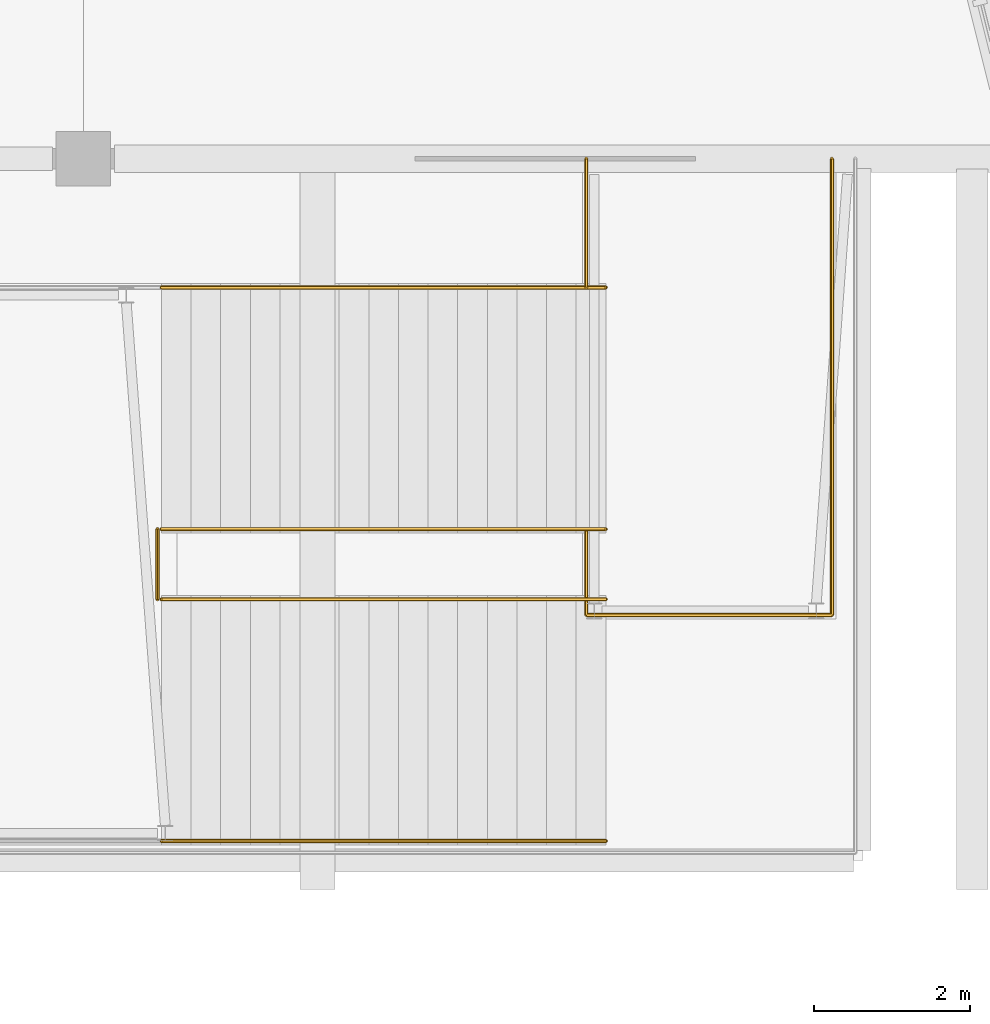
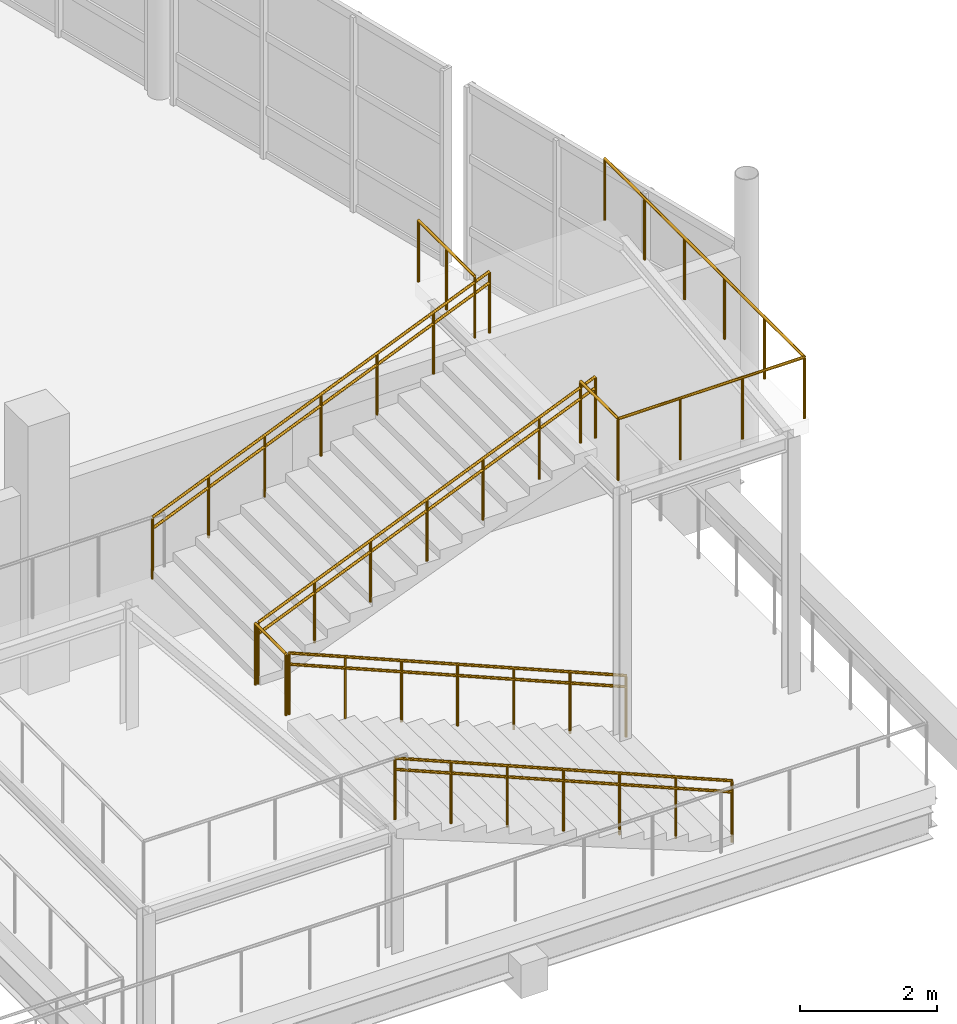
# One storey, part 106 of 112: 11 railings.
"""IFC4 building model written with IfcOpenShell, lengths in metres."""

from ifc_helpers import new_model, si_unit, direction, frame, origin, origin_2d, place, context, subcontext, project, spatial, circle, extrude, material, type_object, element, save


model = new_model("IFC4")

# Units and contexts
model_context = context("Model", 3, precision=1e-05, world=origin(), true_north=direction((0.0, 1.0)))
body_context = subcontext(model_context, "Body", "Model", "MODEL_VIEW")
ifc_project = project(units=[si_unit("LENGTHUNIT", "METRE"), si_unit("AREAUNIT", "SQUARE_METRE"), si_unit("VOLUMEUNIT", "CUBIC_METRE"), si_unit("PLANEANGLEUNIT", "RADIAN"), si_unit("MASSUNIT", "GRAM", prefix="KILO")], contexts=[model_context])

# Site, building, storey
site_placement = place(None, origin())
site = spatial("IfcSite", under=ifc_project, at=site_placement, CompositionType="ELEMENT")
building_placement = place(site_placement, origin())
building = spatial("IfcBuilding", under=site, at=building_placement, Name="Kamomehara Wholesale Market", CompositionType="ELEMENT")
storey_placement = place(building_placement, frame((0.0, 0.0, 6.60009765625)))
storey = spatial("IfcBuildingStorey", under=building, at=storey_placement, Name="L01", CompositionType="ELEMENT", Elevation=6.60009765625)

# Railings
ifc_material_1 = material(Name="Steel SN400B", Category="steel")
railing_type_1 = type_object("IfcRailingType", Name="RAL-EXT-1100", PredefinedType="BALUSTRADE", material=ifc_material_1)
for number, where, name in (
    (1, (198.699951171875, 18.35009765625, 0.0), "ST-20 flight guard 1.1"),
    (2, (198.699951171875, 15.25, 0.0), "ST-20 flight guard 1.2"),
):
    element("IfcRailing", number, at=place(storey_placement, frame(where)), inside=storey, type_object=railing_type_1, Name=name, PredefinedType="BALUSTRADE", context=body_context, shape_type="SweptSolid", body=[
        extrude(circle(Radius=0.02392578125, at=origin_2d()), frame((0.0, 0.0, 1.09619140625), z_axis=(-0.921639833512, 0.0, 0.388046411249), x_axis=(0.0, -1.0, 0.0)), (0.0, 0.0, 1.0), 6.1845703125),
        extrude(circle(Radius=0.02099609375, at=origin_2d()), origin(), (0.0, 0.0, 1.0), 1.072021484375),
        extrude(circle(Radius=0.02099609375, at=origin_2d()), frame((-0.949951171875, 0.0, 0.39990234375)), (0.0, 0.0, 1.0), 1.072021484375),
        extrude(circle(Radius=0.02099609375, at=origin_2d()), frame((-1.89990234375, 0.0, 0.800048828125)), (0.0, 0.0, 1.0), 1.072021484375),
        extrude(circle(Radius=0.02099609375, at=origin_2d()), frame((-2.85009765625, 0.0, 1.199951171875)), (0.0, 0.0, 1.0), 1.072021484375),
        extrude(circle(Radius=0.02099609375, at=origin_2d()), frame((-3.800048828125, 0.0, 1.599853515625)), (0.0, 0.0, 1.0), 1.072021484375),
        extrude(circle(Radius=0.02099609375, at=origin_2d()), frame((-4.75, 0.0, 2.0)), (0.0, 0.0, 1.0), 1.072021484375),
        extrude(circle(Radius=0.02099609375, at=origin_2d()), frame((-5.699951171875, 0.0, 2.39990234375)), (0.0, 0.0, 1.0), 1.072021484375),
    ])
for number, where, name in (
    (3, (193.0, 19.25, 2.39990234375), "ST-20 flight guard 2.1"),
    (4, (193.0, 22.35009765625, 2.39990234375), "ST-20 flight guard 2.2"),
):
    element("IfcRailing", number, at=place(storey_placement, frame(where)), inside=storey, type_object=railing_type_1, Name=name, PredefinedType="BALUSTRADE", context=body_context, shape_type="SweptSolid", body=[
        extrude(circle(Radius=0.02392578125, at=origin_2d()), frame((0.0, 0.0, 1.09619140625), z_axis=(0.921639833512, 0.0, 0.388046411249), x_axis=(0.0, 1.0, 0.0)), (0.0, 0.0, 1.0), 6.1845703125),
        extrude(circle(Radius=0.02099609375, at=origin_2d()), origin(), (0.0, 0.0, 1.0), 1.072021484375),
        extrude(circle(Radius=0.02099609375, at=origin_2d()), frame((0.949951171875, 0.0, 0.39990234375)), (0.0, 0.0, 1.0), 1.072021484375),
        extrude(circle(Radius=0.02099609375, at=origin_2d()), frame((1.89990234375, 0.0, 0.800048828125)), (0.0, 0.0, 1.0), 1.072021484375),
        extrude(circle(Radius=0.02099609375, at=origin_2d()), frame((2.85009765625, 0.0, 1.199951171875)), (0.0, 0.0, 1.0), 1.072021484375),
        extrude(circle(Radius=0.02099609375, at=origin_2d()), frame((3.800048828125, 0.0, 1.599853515625)), (0.0, 0.0, 1.0), 1.072021484375),
        extrude(circle(Radius=0.02099609375, at=origin_2d()), frame((4.75, 0.0, 2.0)), (0.0, 0.0, 1.0), 1.072021484375),
        extrude(circle(Radius=0.02099609375, at=origin_2d()), frame((5.699951171875, 0.0, 2.39990234375)), (0.0, 0.0, 1.0), 1.072021484375),
    ])
railing_1_placement = place(storey_placement, frame((192.949951171875, 18.35009765625, 2.39990234375)))
element("IfcRailing", 5, at=railing_1_placement, inside=storey, type_object=railing_type_1, Name="ST-20 half-landing well guard", PredefinedType="BALUSTRADE", context=body_context, shape_type="SweptSolid", body=[
    extrude(circle(Radius=0.02392578125, at=origin_2d()), frame((0.0, 0.0, 1.09619140625), z_axis=(0.0, 1.0, 0.0), x_axis=(-1.0, 0.0, 0.0)), (0.0, 0.0, 1.0), 0.89990234375),
    extrude(circle(Radius=0.02099609375, at=origin_2d()), origin(), (0.0, 0.0, 1.0), 1.072021484375),
    extrude(circle(Radius=0.02099609375, at=origin_2d()), frame((0.0, 0.89990234375, 0.0)), (0.0, 0.0, 1.0), 1.072021484375),
])
railing_2_placement = place(storey_placement, frame((198.449951171875, 19.25, 4.7998046875)))
element("IfcRailing", 6, at=railing_2_placement, inside=storey, type_object=railing_type_1, Name="ST-20 bridge guard 1", PredefinedType="BALUSTRADE", context=body_context, shape_type="SweptSolid", body=[
    extrude(circle(Radius=0.02392578125, at=origin_2d()), frame((0.0, 0.0, 1.09619140625), z_axis=(0.0, -1.0, 0.0), x_axis=(1.0, 0.0, 0.0)), (0.0, 0.0, 1.0), 1.10009765625),
    extrude(circle(Radius=0.02392578125, at=origin_2d()), frame((0.0, -1.10009765625, 1.09619140625), z_axis=(1.0, 0.0, 0.0), x_axis=(0.0, 1.0, 0.0)), (0.0, 0.0, 1.0), 3.150146484375),
    extrude(circle(Radius=0.02392578125, at=origin_2d()), frame((3.150146484375, -1.10009765625, 1.09619140625), z_axis=(0.0, 1.0, 0.0), x_axis=(-1.0, 0.0, 0.0)), (0.0, 0.0, 1.0), 5.85009765625),
    extrude(circle(Radius=0.02099609375, at=origin_2d()), origin(), (0.0, 0.0, 1.0), 1.072021484375),
    extrude(circle(Radius=0.02099609375, at=origin_2d()), frame((0.0, -1.10009765625, 0.0)), (0.0, 0.0, 1.0), 1.072021484375),
    extrude(circle(Radius=0.02099609375, at=origin_2d()), frame((1.050048828125, -1.10009765625, 0.0)), (0.0, 0.0, 1.0), 1.072021484375),
    extrude(circle(Radius=0.02099609375, at=origin_2d()), frame((2.10009765625, -1.10009765625, 0.0)), (0.0, 0.0, 1.0), 1.072021484375),
    extrude(circle(Radius=0.02099609375, at=origin_2d()), frame((3.150146484375, -1.10009765625, 0.0)), (0.0, 0.0, 1.0), 1.072021484375),
    extrude(circle(Radius=0.02099609375, at=origin_2d()), frame((3.150146484375, 0.06982421875, 0.0)), (0.0, 0.0, 1.0), 1.072021484375),
    extrude(circle(Radius=0.02099609375, at=origin_2d()), frame((3.150146484375, 1.239990234375, 0.0)), (0.0, 0.0, 1.0), 1.072021484375),
    extrude(circle(Radius=0.02099609375, at=origin_2d()), frame((3.150146484375, 2.409912109375, 0.0)), (0.0, 0.0, 1.0), 1.072021484375),
    extrude(circle(Radius=0.02099609375, at=origin_2d()), frame((3.150146484375, 3.580078125, 0.0)), (0.0, 0.0, 1.0), 1.072021484375),
    extrude(circle(Radius=0.02099609375, at=origin_2d()), frame((3.150146484375, 4.75, 0.0)), (0.0, 0.0, 1.0), 1.072021484375),
])
railing_3_placement = place(storey_placement, frame((198.449951171875, 22.35009765625, 4.7998046875)))
element("IfcRailing", 7, at=railing_3_placement, inside=storey, type_object=railing_type_1, Name="ST-20 bridge guard 2", PredefinedType="BALUSTRADE", context=body_context, shape_type="SweptSolid", body=[
    extrude(circle(Radius=0.02392578125, at=origin_2d()), frame((0.0, 0.0, 1.09619140625), z_axis=(0.0, 1.0, 0.0), x_axis=(-1.0, 0.0, 0.0)), (0.0, 0.0, 1.0), 1.64990234375),
    extrude(circle(Radius=0.02099609375, at=origin_2d()), origin(), (0.0, 0.0, 1.0), 1.072021484375),
    extrude(circle(Radius=0.02099609375, at=origin_2d()), frame((0.0, 0.824951171875, 0.0)), (0.0, 0.0, 1.0), 1.072021484375),
    extrude(circle(Radius=0.02099609375, at=origin_2d()), frame((0.0, 1.64990234375, 0.0)), (0.0, 0.0, 1.0), 1.072021484375),
])
ifc_material_2 = material(Name="Steel SN400B", Category="steel")
railing_type_2 = type_object("IfcRailingType", Name="RAL-HND-EXT-900", PredefinedType="HANDRAIL", material=ifc_material_2)
for number, where, name in (
    (8, (198.699951171875, 18.35009765625, 0.0), "ST-20 handrail 1.1"),
    (9, (198.699951171875, 15.25, 0.0), "ST-20 handrail 1.2"),
):
    element("IfcRailing", number, at=place(storey_placement, frame(where)), inside=storey, type_object=railing_type_2, Name=name, PredefinedType="HANDRAIL", context=body_context, shape_type="SweptSolid", body=[
        extrude(circle(Radius=0.02392578125, at=origin_2d()), frame((0.0, 0.0, 0.89599609375), z_axis=(-0.921639833512, 0.0, 0.388046411249), x_axis=(0.0, -1.0, 0.0)), (0.0, 0.0, 1.0), 6.1845703125),
        extrude(circle(Radius=0.02099609375, at=origin_2d()), origin(), (0.0, 0.0, 1.0), 0.871826171875),
        extrude(circle(Radius=0.02099609375, at=origin_2d()), frame((-0.949951171875, 0.0, 0.39990234375)), (0.0, 0.0, 1.0), 0.871826171875),
        extrude(circle(Radius=0.02099609375, at=origin_2d()), frame((-1.89990234375, 0.0, 0.800048828125)), (0.0, 0.0, 1.0), 0.871826171875),
        extrude(circle(Radius=0.02099609375, at=origin_2d()), frame((-2.85009765625, 0.0, 1.199951171875)), (0.0, 0.0, 1.0), 0.871826171875),
        extrude(circle(Radius=0.02099609375, at=origin_2d()), frame((-3.800048828125, 0.0, 1.599853515625)), (0.0, 0.0, 1.0), 0.871826171875),
        extrude(circle(Radius=0.02099609375, at=origin_2d()), frame((-4.75, 0.0, 2.0)), (0.0, 0.0, 1.0), 0.871826171875),
        extrude(circle(Radius=0.02099609375, at=origin_2d()), frame((-5.699951171875, 0.0, 2.39990234375)), (0.0, 0.0, 1.0), 0.871826171875),
    ])
for number, where, name in (
    (10, (193.0, 19.25, 2.39990234375), "ST-20 handrail 2.1"),
    (11, (193.0, 22.35009765625, 2.39990234375), "ST-20 handrail 2.2"),
):
    element("IfcRailing", number, at=place(storey_placement, frame(where)), inside=storey, type_object=railing_type_2, Name=name, PredefinedType="HANDRAIL", context=body_context, shape_type="SweptSolid", body=[
        extrude(circle(Radius=0.02392578125, at=origin_2d()), frame((0.0, 0.0, 0.89599609375), z_axis=(0.921639833512, 0.0, 0.388046411249), x_axis=(0.0, 1.0, 0.0)), (0.0, 0.0, 1.0), 6.1845703125),
        extrude(circle(Radius=0.02099609375, at=origin_2d()), origin(), (0.0, 0.0, 1.0), 0.871826171875),
        extrude(circle(Radius=0.02099609375, at=origin_2d()), frame((0.949951171875, 0.0, 0.39990234375)), (0.0, 0.0, 1.0), 0.871826171875),
        extrude(circle(Radius=0.02099609375, at=origin_2d()), frame((1.89990234375, 0.0, 0.800048828125)), (0.0, 0.0, 1.0), 0.871826171875),
        extrude(circle(Radius=0.02099609375, at=origin_2d()), frame((2.85009765625, 0.0, 1.199951171875)), (0.0, 0.0, 1.0), 0.871826171875),
        extrude(circle(Radius=0.02099609375, at=origin_2d()), frame((3.800048828125, 0.0, 1.599853515625)), (0.0, 0.0, 1.0), 0.871826171875),
        extrude(circle(Radius=0.02099609375, at=origin_2d()), frame((4.75, 0.0, 2.0)), (0.0, 0.0, 1.0), 0.871826171875),
        extrude(circle(Radius=0.02099609375, at=origin_2d()), frame((5.699951171875, 0.0, 2.39990234375)), (0.0, 0.0, 1.0), 0.871826171875),
    ])

save(model, "model.ifc")
